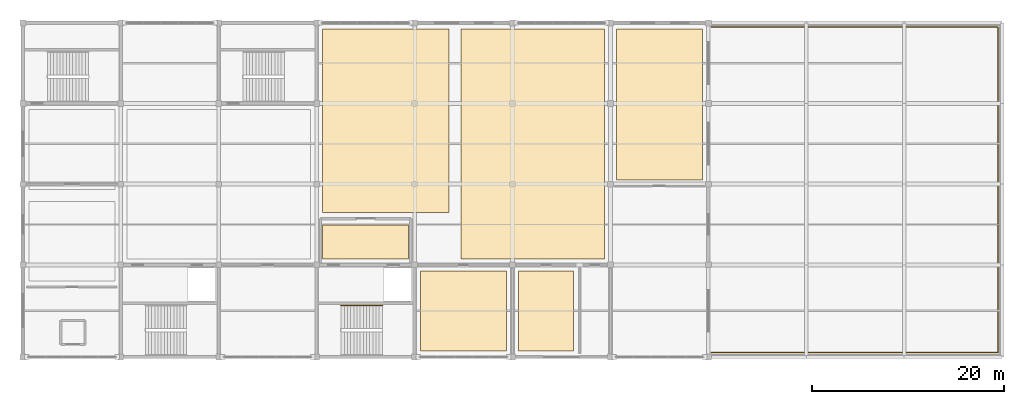
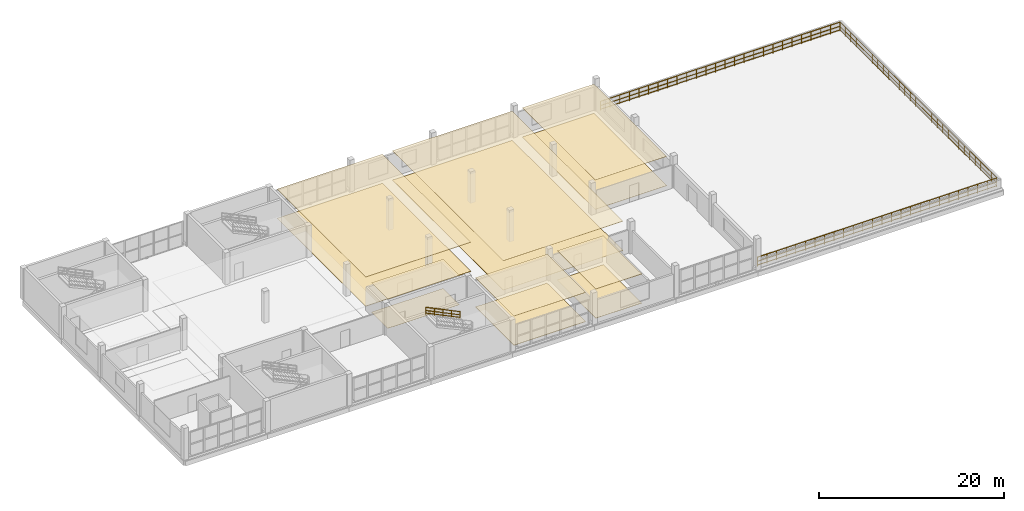
# One storey, part 24 of 24: 12 coverings, 4 railings.
"""IFC4 building model written with IfcOpenShell, lengths in metres."""

from ifc_helpers import new_model, si_unit, direction, frame, origin, origin_2d, place, context, subcontext, project, spatial, polyline, circle, outline, extrude, material, layer, layer_set, type_object, element, save


model = new_model("IFC4")

# Units and contexts
model_context = context("Model", 3, precision=1e-05, world=origin(), true_north=direction((0.0, 1.0)))
body_context = subcontext(model_context, "Body", "Model", "MODEL_VIEW")
ifc_project = project(units=[si_unit("LENGTHUNIT", "METRE"), si_unit("AREAUNIT", "SQUARE_METRE"), si_unit("VOLUMEUNIT", "CUBIC_METRE"), si_unit("PLANEANGLEUNIT", "RADIAN"), si_unit("MASSUNIT", "GRAM", prefix="KILO")], contexts=[model_context])

# Site, building, storey
site_placement = place(None, origin())
site = spatial("IfcSite", under=ifc_project, at=site_placement, CompositionType="ELEMENT")
building_placement = place(site_placement, origin())
building = spatial("IfcBuilding", under=site, at=building_placement, Name="Brelvane Convention Centre", CompositionType="ELEMENT")
storey_placement = place(building_placement, frame((0.0, 0.0, 19.199951171875)))
storey = spatial("IfcBuildingStorey", under=building, at=storey_placement, Name="L04", CompositionType="ELEMENT", Elevation=19.199951171875)

# Coverings
ifc_material_1 = material(Name="Perforated Anodised Aluminium Alloy 6063 Acoustic Baffle", Category="aluminium")
ifc_layer_1 = layer(ifc_material_1, 0.06005859375)
ifc_layer_set_1 = layer_set([ifc_layer_1], Name="Perforated Anodised Aluminium Alloy 6063 Acoustic Baffle")
covering_type_1 = type_object("IfcCoveringType", Name="Interior Finish CL-BAF-60", PredefinedType="CEILING", material=ifc_layer_set_1)
covering_1_placement = place(storey_placement, frame((0.0, 0.0, 3.824951171875)))
element("IfcCovering", 1, at=covering_1_placement, inside=storey, type_object=covering_type_1, Name="Pre-function Foyer Summit L04 Acoustic Ceiling (CL-BAF-60)", PredefinedType="CEILING", context=body_context, shape_type="SweptSolid", body=[
    extrude(outline(polyline([(31.22998046875, 124.22998046875), (44.3701171875, 124.22998046875), (44.3701171875, 143.3701171875), (31.22998046875, 143.3701171875), (31.22998046875, 124.22998046875)])), origin(), (0.0, 0.0, 1.0), 0.06005859375),
])
covering_2_placement = place(storey_placement, frame((0.0, 0.0, 3.830078125)))
element("IfcCovering", 2, at=covering_2_placement, inside=storey, type_object=covering_type_1, Name="Level 4 Female Restroom Acoustic Ceiling (CL-BAF-60)", PredefinedType="CEILING", context=body_context, shape_type="SweptSolid", body=[
    extrude(outline(polyline([(51.6298828125, 109.830078125), (57.3701171875, 109.830078125), (57.3701171875, 118.169921875), (51.6298828125, 118.169921875), (51.6298828125, 109.830078125)])), origin(), (0.0, 0.0, 1.0), 0.06005859375),
])
ifc_material_2 = material(Name="Moisture-Resistant Acoustic Gypsum Ceiling Tile Grade A")
ifc_layer_2 = layer(ifc_material_2, 0.01806640625)
ifc_layer_set_2 = layer_set([ifc_layer_2], Name="Moisture-Resistant Acoustic Gypsum Ceiling Tile Grade A")
covering_type_2 = type_object("IfcCoveringType", Name="Interior Finish CL-GYP-18", PredefinedType="CEILING", material=ifc_layer_set_2)
covering_3_placement = place(storey_placement, frame((0.0, 0.0, 3.866943359375)))
element("IfcCovering", 3, at=covering_3_placement, inside=storey, type_object=covering_type_2, Name="Firefighting Lift Lobby C7 Acoustic Ceiling (CL-GYP-18)", PredefinedType="CEILING", context=body_context, shape_type="SweptSolid", body=[
    extrude(outline(polyline([(31.22998046875, 119.429931640625), (40.169921875, 119.429931640625), (40.169921875, 122.969970703125), (31.22998046875, 122.969970703125), (31.22998046875, 119.429931640625)])), origin(), (0.0, 0.0, 1.0), 0.01806640625),
])
ifc_material_3 = material(Name="Moisture-Resistant Acoustic Gypsum Ceiling Tile Grade A")
ifc_layer_3 = layer(ifc_material_3, 0.02490234375)
ifc_layer_set_3 = layer_set([ifc_layer_3], Name="Moisture-Resistant Acoustic Gypsum Ceiling Tile Grade A")
covering_type_3 = type_object("IfcCoveringType", Name="Interior Finish CL-GYP-25", PredefinedType="CEILING", material=ifc_layer_set_3)
covering_4_placement = place(storey_placement, frame((0.0, 0.0, 3.864990234375)))
element("IfcCovering", 4, at=covering_4_placement, inside=storey, type_object=covering_type_3, Name="Private Delegation Dining Suite Acoustic Ceiling (CL-GYP-25)", PredefinedType="CEILING", context=body_context, shape_type="SweptSolid", body=[
    extrude(outline(polyline([(61.830078125, 127.6298828125), (70.77001953125, 127.6298828125), (70.77001953125, 143.3701171875), (61.830078125, 143.3701171875), (61.830078125, 127.6298828125)])), origin(), (0.0, 0.0, 1.0), 0.025146484375),
])
ifc_material_4 = material(Name="Moisture-Resistant Acoustic Gypsum Ceiling Tile Grade A")
ifc_layer_4 = layer(ifc_material_4, 0.033935546875)
ifc_layer_set_4 = layer_set([ifc_layer_4], Name="Moisture-Resistant Acoustic Gypsum Ceiling Tile Grade A")
covering_type_4 = type_object("IfcCoveringType", Name="Interior Finish CL-GYP-34", PredefinedType="CEILING", material=ifc_layer_set_4)
covering_5_placement = place(storey_placement, frame((0.0, 0.0, 3.85595703125)))
element("IfcCovering", 5, at=covering_5_placement, inside=storey, type_object=covering_type_4, Name="Level 4 Heat-Recovery AHU Room Acoustic Ceiling (CL-GYP-34)", PredefinedType="CEILING", context=body_context, shape_type="SweptSolid", body=[
    extrude(outline(polyline([(45.6298828125, 119.429931640625), (60.570068359375, 119.429931640625), (60.570068359375, 143.3701171875), (45.6298828125, 143.3701171875), (45.6298828125, 119.429931640625)])), origin(), (0.0, 0.0, 1.0), 0.0341796875),
])
ifc_material_5 = material(Name="Moisture-Resistant Acoustic Gypsum Ceiling Tile Grade A")
ifc_layer_5 = layer(ifc_material_5, 0.0419921875)
ifc_layer_set_5 = layer_set([ifc_layer_5], Name="Moisture-Resistant Acoustic Gypsum Ceiling Tile Grade A")
covering_type_5 = type_object("IfcCoveringType", Name="Interior Finish CL-GYP-42", PredefinedType="CEILING", material=ifc_layer_set_5)
covering_6_placement = place(storey_placement, frame((0.0, 0.0, 3.84814453125)))
element("IfcCovering", 6, at=covering_6_placement, inside=storey, type_object=covering_type_5, Name="Level 4 Male Restroom Acoustic Ceiling (CL-GYP-42)", PredefinedType="CEILING", context=body_context, shape_type="SweptSolid", body=[
    extrude(outline(polyline([(41.429931640625, 109.830078125), (50.3701171875, 109.830078125), (50.3701171875, 118.169921875), (41.429931640625, 118.169921875), (41.429931640625, 109.830078125)])), origin(), (0.0, 0.0, 1.0), 0.0419921875),
])
ifc_material_6 = material(Name="Solution-Dyed Heavy Contract Wool Carpet Class 1")
ifc_layer_6 = layer(ifc_material_6, 0.02197265625)
ifc_layer_set_6 = layer_set([ifc_layer_6], Name="Solution-Dyed Heavy Contract Wool Carpet Class 1")
covering_type_6 = type_object("IfcCoveringType", Name="Interior Finish FL-CPT-22", PredefinedType="FLOORING", material=ifc_layer_set_6)
covering_7_placement = place(storey_placement, origin())
element("IfcCovering", 7, at=covering_7_placement, inside=storey, type_object=covering_type_6, Name="Firefighting Lift Lobby C7 Floor Finish (FL-CPT-22)", PredefinedType="FLOORING", context=body_context, shape_type="SweptSolid", body=[
    extrude(outline(polyline([(31.22998046875, 119.429931640625), (40.169921875, 119.429931640625), (40.169921875, 122.969970703125), (31.22998046875, 122.969970703125), (31.22998046875, 119.429931640625)])), origin(), (0.0, 0.0, 1.0), 0.02197265625),
])
ifc_material_7 = material(Name="Solution-Dyed Heavy Contract Wool Carpet Class 1")
ifc_layer_7 = layer(ifc_material_7, 0.028076171875)
ifc_layer_set_7 = layer_set([ifc_layer_7], Name="Solution-Dyed Heavy Contract Wool Carpet Class 1")
covering_type_7 = type_object("IfcCoveringType", Name="Interior Finish FL-CPT-28", PredefinedType="FLOORING", material=ifc_layer_set_7)
covering_8_placement = place(storey_placement, origin())
element("IfcCovering", 8, at=covering_8_placement, inside=storey, type_object=covering_type_7, Name="Private Delegation Dining Suite Floor Finish (FL-CPT-28)", PredefinedType="FLOORING", context=body_context, shape_type="SweptSolid", body=[
    extrude(outline(polyline([(61.830078125, 127.6298828125), (70.77001953125, 127.6298828125), (70.77001953125, 143.3701171875), (61.830078125, 143.3701171875), (61.830078125, 127.6298828125)])), origin(), (0.0, 0.0, 1.0), 0.028076171875),
])
ifc_material_8 = material(Name="Polished Basalt-Aggregate Terrazzo Screed Concrete M30", Category="masonry")
ifc_layer_8 = layer(ifc_material_8, 0.031982421875)
ifc_layer_set_8 = layer_set([ifc_layer_8], Name="Polished Basalt-Aggregate Terrazzo Screed Concrete M30")
covering_type_8 = type_object("IfcCoveringType", Name="Interior Finish FL-STN-32", PredefinedType="FLOORING", material=ifc_layer_set_8)
covering_9_placement = place(storey_placement, origin())
element("IfcCovering", 9, at=covering_9_placement, inside=storey, type_object=covering_type_8, Name="Level 4 Heat-Recovery AHU Room Floor Finish (FL-STN-32)", PredefinedType="FLOORING", context=body_context, shape_type="SweptSolid", body=[
    extrude(outline(polyline([(45.6298828125, 119.429931640625), (60.570068359375, 119.429931640625), (60.570068359375, 143.3701171875), (45.6298828125, 143.3701171875), (45.6298828125, 119.429931640625)])), origin(), (0.0, 0.0, 1.0), 0.031982421875),
])
ifc_material_9 = material(Name="Polished Basalt-Aggregate Terrazzo Screed Concrete M30", Category="masonry")
ifc_layer_9 = layer(ifc_material_9, 0.054931640625)
ifc_layer_set_9 = layer_set([ifc_layer_9], Name="Polished Basalt-Aggregate Terrazzo Screed Concrete M30")
covering_type_9 = type_object("IfcCoveringType", Name="Interior Finish FL-STN-55", PredefinedType="FLOORING", material=ifc_layer_set_9)
covering_10_placement = place(storey_placement, origin())
element("IfcCovering", 10, at=covering_10_placement, inside=storey, type_object=covering_type_9, Name="Level 4 Male Restroom Floor Finish (FL-STN-55)", PredefinedType="FLOORING", context=body_context, shape_type="SweptSolid", body=[
    extrude(outline(polyline([(41.429931640625, 109.830078125), (50.3701171875, 109.830078125), (50.3701171875, 118.169921875), (41.429931640625, 118.169921875), (41.429931640625, 109.830078125)])), origin(), (0.0, 0.0, 1.0), 0.054931640625),
])
ifc_material_10 = material(Name="Polished Basalt-Aggregate Terrazzo Screed Concrete M30", Category="masonry")
ifc_layer_10 = layer(ifc_material_10, 0.0400390625)
ifc_layer_set_10 = layer_set([ifc_layer_10], Name="Polished Basalt-Aggregate Terrazzo Screed Concrete M30")
covering_type_10 = type_object("IfcCoveringType", Name="Interior Finish FL-TER-40", PredefinedType="FLOORING", material=ifc_layer_set_10)
covering_11_placement = place(storey_placement, origin())
element("IfcCovering", 11, at=covering_11_placement, inside=storey, type_object=covering_type_10, Name="Pre-function Foyer Summit L04 Floor Finish (FL-TER-40)", PredefinedType="FLOORING", context=body_context, shape_type="SweptSolid", body=[
    extrude(outline(polyline([(31.22998046875, 124.22998046875), (44.3701171875, 124.22998046875), (44.3701171875, 143.3701171875), (31.22998046875, 143.3701171875), (31.22998046875, 124.22998046875)])), origin(), (0.0, 0.0, 1.0), 0.0400390625),
])
covering_12_placement = place(storey_placement, origin())
element("IfcCovering", 12, at=covering_12_placement, inside=storey, type_object=covering_type_10, Name="Level 4 Female Restroom Floor Finish (FL-TER-40)", PredefinedType="FLOORING", context=body_context, shape_type="SweptSolid", body=[
    extrude(outline(polyline([(51.6298828125, 109.830078125), (57.3701171875, 109.830078125), (57.3701171875, 118.169921875), (51.6298828125, 118.169921875), (51.6298828125, 109.830078125)])), origin(), (0.0, 0.0, 1.0), 0.0400390625),
])

# Railings
ifc_material_11 = material(Name="Steel E350 (350 MPa)", Category="steel")
railing_type_1 = type_object("IfcRailingType", Name="Railing GR-EXT-2", PredefinedType="GUARDRAIL", material=ifc_material_11)
railing_1_placement = place(storey_placement, frame((71.699951171875, 109.64990234375, 0.0)))
element("IfcRailing", 13, at=railing_1_placement, inside=storey, type_object=railing_type_1, Name="Railing GR-EXT-2 L04-rg_meet_l04_s1", PredefinedType="GUARDRAIL", context=body_context, shape_type="SweptSolid", body=[
    extrude(circle(Radius=0.02392578125, at=origin_2d()), frame((0.0, 0.0, 1.17578125), z_axis=(1.0, 0.0, 0.0), x_axis=(0.0, 1.0, 0.0)), (0.0, 0.0, 1.0), 29.85009765625),
    extrude(circle(Radius=0.02392578125, at=origin_2d()), frame((0.0, 0.0, 0.6240234375), z_axis=(1.0, 0.0, 0.0), x_axis=(0.0, 1.0, 0.0)), (0.0, 0.0, 1.0), 29.85009765625),
    extrude(circle(Radius=0.02392578125, at=origin_2d()), frame((0.0, 0.0, 0.139892578125), z_axis=(1.0, 0.0, 0.0), x_axis=(0.0, 1.0, 0.0)), (0.0, 0.0, 1.0), 29.85009765625),
    extrude(circle(Radius=0.02099609375, at=origin_2d()), origin(), (0.0, 0.0, 1.0), 1.15185546875),
    extrude(circle(Radius=0.02099609375, at=origin_2d()), frame((1.194091796875, 0.0, 0.0)), (0.0, 0.0, 1.0), 1.15185546875),
    extrude(circle(Radius=0.02099609375, at=origin_2d()), frame((2.387939453125, 0.0, 0.0)), (0.0, 0.0, 1.0), 1.15185546875),
    extrude(circle(Radius=0.02099609375, at=origin_2d()), frame((3.58203125, 0.0, 0.0)), (0.0, 0.0, 1.0), 1.15185546875),
    extrude(circle(Radius=0.02099609375, at=origin_2d()), frame((4.776123046875, 0.0, 0.0)), (0.0, 0.0, 1.0), 1.15185546875),
    extrude(circle(Radius=0.02099609375, at=origin_2d()), frame((5.969970703125, 0.0, 0.0)), (0.0, 0.0, 1.0), 1.15185546875),
    extrude(circle(Radius=0.02099609375, at=origin_2d()), frame((7.1640625, 0.0, 0.0)), (0.0, 0.0, 1.0), 1.15185546875),
    extrude(circle(Radius=0.02099609375, at=origin_2d()), frame((8.35791015625, 0.0, 0.0)), (0.0, 0.0, 1.0), 1.15185546875),
    extrude(circle(Radius=0.02099609375, at=origin_2d()), frame((9.552001953125, 0.0, 0.0)), (0.0, 0.0, 1.0), 1.15185546875),
    extrude(circle(Radius=0.02099609375, at=origin_2d()), frame((10.74609375, 0.0, 0.0)), (0.0, 0.0, 1.0), 1.15185546875),
    extrude(circle(Radius=0.02099609375, at=origin_2d()), frame((11.93994140625, 0.0, 0.0)), (0.0, 0.0, 1.0), 1.15185546875),
    extrude(circle(Radius=0.02099609375, at=origin_2d()), frame((13.134033203125, 0.0, 0.0)), (0.0, 0.0, 1.0), 1.15185546875),
    extrude(circle(Radius=0.02099609375, at=origin_2d()), frame((14.328125, 0.0, 0.0)), (0.0, 0.0, 1.0), 1.15185546875),
    extrude(circle(Radius=0.02099609375, at=origin_2d()), frame((15.52197265625, 0.0, 0.0)), (0.0, 0.0, 1.0), 1.15185546875),
    extrude(circle(Radius=0.02099609375, at=origin_2d()), frame((16.716064453125, 0.0, 0.0)), (0.0, 0.0, 1.0), 1.15185546875),
    extrude(circle(Radius=0.02099609375, at=origin_2d()), frame((17.91015625, 0.0, 0.0)), (0.0, 0.0, 1.0), 1.15185546875),
    extrude(circle(Radius=0.02099609375, at=origin_2d()), frame((19.10400390625, 0.0, 0.0)), (0.0, 0.0, 1.0), 1.15185546875),
    extrude(circle(Radius=0.02099609375, at=origin_2d()), frame((20.298095703125, 0.0, 0.0)), (0.0, 0.0, 1.0), 1.15185546875),
    extrude(circle(Radius=0.02099609375, at=origin_2d()), frame((21.4921875, 0.0, 0.0)), (0.0, 0.0, 1.0), 1.15185546875),
    extrude(circle(Radius=0.02099609375, at=origin_2d()), frame((22.68603515625, 0.0, 0.0)), (0.0, 0.0, 1.0), 1.15185546875),
    extrude(circle(Radius=0.02099609375, at=origin_2d()), frame((23.880126953125, 0.0, 0.0)), (0.0, 0.0, 1.0), 1.15185546875),
    extrude(circle(Radius=0.02099609375, at=origin_2d()), frame((25.073974609375, 0.0, 0.0)), (0.0, 0.0, 1.0), 1.15185546875),
    extrude(circle(Radius=0.02099609375, at=origin_2d()), frame((26.26806640625, 0.0, 0.0)), (0.0, 0.0, 1.0), 1.15185546875),
    extrude(circle(Radius=0.02099609375, at=origin_2d()), frame((27.462158203125, 0.0, 0.0)), (0.0, 0.0, 1.0), 1.15185546875),
    extrude(circle(Radius=0.02099609375, at=origin_2d()), frame((28.656005859375, 0.0, 0.0)), (0.0, 0.0, 1.0), 1.15185546875),
    extrude(circle(Radius=0.02099609375, at=origin_2d()), frame((29.85009765625, 0.0, 0.0)), (0.0, 0.0, 1.0), 1.15185546875),
])
railing_2_placement = place(storey_placement, frame((101.550048828125, 109.64990234375, 0.0)))
element("IfcRailing", 14, at=railing_2_placement, inside=storey, type_object=railing_type_1, Name="Railing GR-EXT-2 L04-rg_meet_l04_s2", PredefinedType="GUARDRAIL", context=body_context, shape_type="SweptSolid", body=[
    extrude(circle(Radius=0.02392578125, at=origin_2d()), frame((0.0, 0.0, 1.17578125), z_axis=(0.0, 1.0, 0.0), x_axis=(-1.0, 0.0, 0.0)), (0.0, 0.0, 1.0), 33.900146484375),
    extrude(circle(Radius=0.02392578125, at=origin_2d()), frame((0.0, 0.0, 0.6240234375), z_axis=(0.0, 1.0, 0.0), x_axis=(-1.0, 0.0, 0.0)), (0.0, 0.0, 1.0), 33.900146484375),
    extrude(circle(Radius=0.02392578125, at=origin_2d()), frame((0.0, 0.0, 0.139892578125), z_axis=(0.0, 1.0, 0.0), x_axis=(-1.0, 0.0, 0.0)), (0.0, 0.0, 1.0), 33.900146484375),
    extrude(circle(Radius=0.02099609375, at=origin_2d()), origin(), (0.0, 0.0, 1.0), 1.15185546875),
    extrude(circle(Radius=0.02099609375, at=origin_2d()), frame((0.0, 1.1689453125, 0.0)), (0.0, 0.0, 1.0), 1.15185546875),
    extrude(circle(Radius=0.02099609375, at=origin_2d()), frame((0.0, 2.337890625, 0.0)), (0.0, 0.0, 1.0), 1.15185546875),
    extrude(circle(Radius=0.02099609375, at=origin_2d()), frame((0.0, 3.5068359375, 0.0)), (0.0, 0.0, 1.0), 1.15185546875),
    extrude(circle(Radius=0.02099609375, at=origin_2d()), frame((0.0, 4.67578125, 0.0)), (0.0, 0.0, 1.0), 1.15185546875),
    extrude(circle(Radius=0.02099609375, at=origin_2d()), frame((0.0, 5.844970703125, 0.0)), (0.0, 0.0, 1.0), 1.15185546875),
    extrude(circle(Radius=0.02099609375, at=origin_2d()), frame((0.0, 7.013916015625, 0.0)), (0.0, 0.0, 1.0), 1.15185546875),
    extrude(circle(Radius=0.02099609375, at=origin_2d()), frame((0.0, 8.182861328125, 0.0)), (0.0, 0.0, 1.0), 1.15185546875),
    extrude(circle(Radius=0.02099609375, at=origin_2d()), frame((0.0, 9.351806640625, 0.0)), (0.0, 0.0, 1.0), 1.15185546875),
    extrude(circle(Radius=0.02099609375, at=origin_2d()), frame((0.0, 10.520751953125, 0.0)), (0.0, 0.0, 1.0), 1.15185546875),
    extrude(circle(Radius=0.02099609375, at=origin_2d()), frame((0.0, 11.689697265625, 0.0)), (0.0, 0.0, 1.0), 1.15185546875),
    extrude(circle(Radius=0.02099609375, at=origin_2d()), frame((0.0, 12.858642578125, 0.0)), (0.0, 0.0, 1.0), 1.15185546875),
    extrude(circle(Radius=0.02099609375, at=origin_2d()), frame((0.0, 14.027587890625, 0.0)), (0.0, 0.0, 1.0), 1.15185546875),
    extrude(circle(Radius=0.02099609375, at=origin_2d()), frame((0.0, 15.196533203125, 0.0)), (0.0, 0.0, 1.0), 1.15185546875),
    extrude(circle(Radius=0.02099609375, at=origin_2d()), frame((0.0, 16.365478515625, 0.0)), (0.0, 0.0, 1.0), 1.15185546875),
    extrude(circle(Radius=0.02099609375, at=origin_2d()), frame((0.0, 17.53466796875, 0.0)), (0.0, 0.0, 1.0), 1.15185546875),
    extrude(circle(Radius=0.02099609375, at=origin_2d()), frame((0.0, 18.70361328125, 0.0)), (0.0, 0.0, 1.0), 1.15185546875),
    extrude(circle(Radius=0.02099609375, at=origin_2d()), frame((0.0, 19.87255859375, 0.0)), (0.0, 0.0, 1.0), 1.15185546875),
    extrude(circle(Radius=0.02099609375, at=origin_2d()), frame((0.0, 21.04150390625, 0.0)), (0.0, 0.0, 1.0), 1.15185546875),
    extrude(circle(Radius=0.02099609375, at=origin_2d()), frame((0.0, 22.21044921875, 0.0)), (0.0, 0.0, 1.0), 1.15185546875),
    extrude(circle(Radius=0.02099609375, at=origin_2d()), frame((0.0, 23.37939453125, 0.0)), (0.0, 0.0, 1.0), 1.15185546875),
    extrude(circle(Radius=0.02099609375, at=origin_2d()), frame((0.0, 24.54833984375, 0.0)), (0.0, 0.0, 1.0), 1.15185546875),
    extrude(circle(Radius=0.02099609375, at=origin_2d()), frame((0.0, 25.71728515625, 0.0)), (0.0, 0.0, 1.0), 1.15185546875),
    extrude(circle(Radius=0.02099609375, at=origin_2d()), frame((0.0, 26.88623046875, 0.0)), (0.0, 0.0, 1.0), 1.15185546875),
    extrude(circle(Radius=0.02099609375, at=origin_2d()), frame((0.0, 28.05517578125, 0.0)), (0.0, 0.0, 1.0), 1.15185546875),
    extrude(circle(Radius=0.02099609375, at=origin_2d()), frame((0.0, 29.224365234375, 0.0)), (0.0, 0.0, 1.0), 1.15185546875),
    extrude(circle(Radius=0.02099609375, at=origin_2d()), frame((0.0, 30.393310546875, 0.0)), (0.0, 0.0, 1.0), 1.15185546875),
    extrude(circle(Radius=0.02099609375, at=origin_2d()), frame((0.0, 31.562255859375, 0.0)), (0.0, 0.0, 1.0), 1.15185546875),
    extrude(circle(Radius=0.02099609375, at=origin_2d()), frame((0.0, 32.731201171875, 0.0)), (0.0, 0.0, 1.0), 1.15185546875),
    extrude(circle(Radius=0.02099609375, at=origin_2d()), frame((0.0, 33.900146484375, 0.0)), (0.0, 0.0, 1.0), 1.15185546875),
])
railing_3_placement = place(storey_placement, frame((101.550048828125, 143.550048828125, 0.0)))
element("IfcRailing", 15, at=railing_3_placement, inside=storey, type_object=railing_type_1, Name="Railing GR-EXT-2 L04-rg_meet_l04_s3", PredefinedType="GUARDRAIL", context=body_context, shape_type="SweptSolid", body=[
    extrude(circle(Radius=0.02392578125, at=origin_2d()), frame((0.0, 0.0, 1.17578125), z_axis=(-1.0, 0.0, 0.0), x_axis=(0.0, -1.0, 0.0)), (0.0, 0.0, 1.0), 29.85009765625),
    extrude(circle(Radius=0.02392578125, at=origin_2d()), frame((0.0, 0.0, 0.6240234375), z_axis=(-1.0, 0.0, 0.0), x_axis=(0.0, -1.0, 0.0)), (0.0, 0.0, 1.0), 29.85009765625),
    extrude(circle(Radius=0.02392578125, at=origin_2d()), frame((0.0, 0.0, 0.139892578125), z_axis=(-1.0, 0.0, 0.0), x_axis=(0.0, -1.0, 0.0)), (0.0, 0.0, 1.0), 29.85009765625),
    extrude(circle(Radius=0.02099609375, at=origin_2d()), origin(), (0.0, 0.0, 1.0), 1.15185546875),
    extrude(circle(Radius=0.02099609375, at=origin_2d()), frame((-1.194091796875, 0.0, 0.0)), (0.0, 0.0, 1.0), 1.15185546875),
    extrude(circle(Radius=0.02099609375, at=origin_2d()), frame((-2.387939453125, 0.0, 0.0)), (0.0, 0.0, 1.0), 1.15185546875),
    extrude(circle(Radius=0.02099609375, at=origin_2d()), frame((-3.58203125, 0.0, 0.0)), (0.0, 0.0, 1.0), 1.15185546875),
    extrude(circle(Radius=0.02099609375, at=origin_2d()), frame((-4.776123046875, 0.0, 0.0)), (0.0, 0.0, 1.0), 1.15185546875),
    extrude(circle(Radius=0.02099609375, at=origin_2d()), frame((-5.969970703125, 0.0, 0.0)), (0.0, 0.0, 1.0), 1.15185546875),
    extrude(circle(Radius=0.02099609375, at=origin_2d()), frame((-7.1640625, 0.0, 0.0)), (0.0, 0.0, 1.0), 1.15185546875),
    extrude(circle(Radius=0.02099609375, at=origin_2d()), frame((-8.35791015625, 0.0, 0.0)), (0.0, 0.0, 1.0), 1.15185546875),
    extrude(circle(Radius=0.02099609375, at=origin_2d()), frame((-9.552001953125, 0.0, 0.0)), (0.0, 0.0, 1.0), 1.15185546875),
    extrude(circle(Radius=0.02099609375, at=origin_2d()), frame((-10.74609375, 0.0, 0.0)), (0.0, 0.0, 1.0), 1.15185546875),
    extrude(circle(Radius=0.02099609375, at=origin_2d()), frame((-11.93994140625, 0.0, 0.0)), (0.0, 0.0, 1.0), 1.15185546875),
    extrude(circle(Radius=0.02099609375, at=origin_2d()), frame((-13.134033203125, 0.0, 0.0)), (0.0, 0.0, 1.0), 1.15185546875),
    extrude(circle(Radius=0.02099609375, at=origin_2d()), frame((-14.328125, 0.0, 0.0)), (0.0, 0.0, 1.0), 1.15185546875),
    extrude(circle(Radius=0.02099609375, at=origin_2d()), frame((-15.52197265625, 0.0, 0.0)), (0.0, 0.0, 1.0), 1.15185546875),
    extrude(circle(Radius=0.02099609375, at=origin_2d()), frame((-16.716064453125, 0.0, 0.0)), (0.0, 0.0, 1.0), 1.15185546875),
    extrude(circle(Radius=0.02099609375, at=origin_2d()), frame((-17.91015625, 0.0, 0.0)), (0.0, 0.0, 1.0), 1.15185546875),
    extrude(circle(Radius=0.02099609375, at=origin_2d()), frame((-19.10400390625, 0.0, 0.0)), (0.0, 0.0, 1.0), 1.15185546875),
    extrude(circle(Radius=0.02099609375, at=origin_2d()), frame((-20.298095703125, 0.0, 0.0)), (0.0, 0.0, 1.0), 1.15185546875),
    extrude(circle(Radius=0.02099609375, at=origin_2d()), frame((-21.4921875, 0.0, 0.0)), (0.0, 0.0, 1.0), 1.15185546875),
    extrude(circle(Radius=0.02099609375, at=origin_2d()), frame((-22.68603515625, 0.0, 0.0)), (0.0, 0.0, 1.0), 1.15185546875),
    extrude(circle(Radius=0.02099609375, at=origin_2d()), frame((-23.880126953125, 0.0, 0.0)), (0.0, 0.0, 1.0), 1.15185546875),
    extrude(circle(Radius=0.02099609375, at=origin_2d()), frame((-25.073974609375, 0.0, 0.0)), (0.0, 0.0, 1.0), 1.15185546875),
    extrude(circle(Radius=0.02099609375, at=origin_2d()), frame((-26.26806640625, 0.0, 0.0)), (0.0, 0.0, 1.0), 1.15185546875),
    extrude(circle(Radius=0.02099609375, at=origin_2d()), frame((-27.462158203125, 0.0, 0.0)), (0.0, 0.0, 1.0), 1.15185546875),
    extrude(circle(Radius=0.02099609375, at=origin_2d()), frame((-28.656005859375, 0.0, 0.0)), (0.0, 0.0, 1.0), 1.15185546875),
    extrude(circle(Radius=0.02099609375, at=origin_2d()), frame((-29.85009765625, 0.0, 0.0)), (0.0, 0.0, 1.0), 1.15185546875),
])
ifc_material_12 = material(Name="Steel E350 (350 MPa)", Category="steel")
railing_type_2 = type_object("IfcRailingType", Name="Stair Railing HR-ST-1", PredefinedType="HANDRAIL", material=ifc_material_12)
railing_4_placement = place(storey_placement, frame((37.43994140625, 114.570068359375, 2.10009765625)))
element("IfcRailing", 16, at=railing_4_placement, inside=storey, type_object=railing_type_2, Name="Stair ST-07 L04 Outer Handrail F2", PredefinedType="HANDRAIL", context=body_context, shape_type="SweptSolid", body=[
    extrude(circle(Radius=0.02392578125, at=origin_2d()), frame((0.0, 0.0, 0.89599609375), z_axis=(-0.899829335833, 0.0, 0.43624209606), x_axis=(0.0, -1.0, 0.0)), (0.0, 0.0, 1.0), 4.767578125),
    extrude(circle(Radius=0.02392578125, at=origin_2d()), frame((0.0, 0.0, 0.478271484375), z_axis=(-0.899829335833, 0.0, 0.43624209606), x_axis=(0.0, -1.0, 0.0)), (0.0, 0.0, 1.0), 4.767578125),
    extrude(circle(Radius=0.02392578125, at=origin_2d()), frame((0.0, 0.0, 0.139892578125), z_axis=(-0.899829335833, 0.0, 0.43624209606), x_axis=(0.0, -1.0, 0.0)), (0.0, 0.0, 1.0), 4.767578125),
    extrude(circle(Radius=0.02099609375, at=origin_2d()), origin(), (0.0, 0.0, 1.0), 0.871826171875),
    extrude(circle(Radius=0.02099609375, at=origin_2d()), frame((-1.072509765625, 0.0, 0.52001953125)), (0.0, 0.0, 1.0), 0.871826171875),
    extrude(circle(Radius=0.02099609375, at=origin_2d()), frame((-2.14501953125, 0.0, 1.0400390625)), (0.0, 0.0, 1.0), 0.871826171875),
    extrude(circle(Radius=0.02099609375, at=origin_2d()), frame((-3.217529296875, 0.0, 1.559814453125)), (0.0, 0.0, 1.0), 0.871826171875),
    extrude(circle(Radius=0.02099609375, at=origin_2d()), frame((-4.2900390625, 0.0, 2.079833984375)), (0.0, 0.0, 1.0), 0.871826171875),
])

save(model, "model.ifc")
